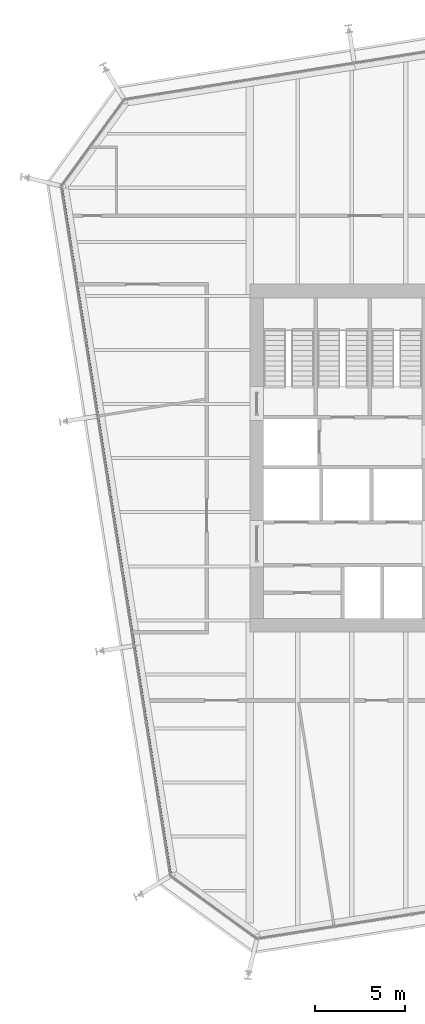
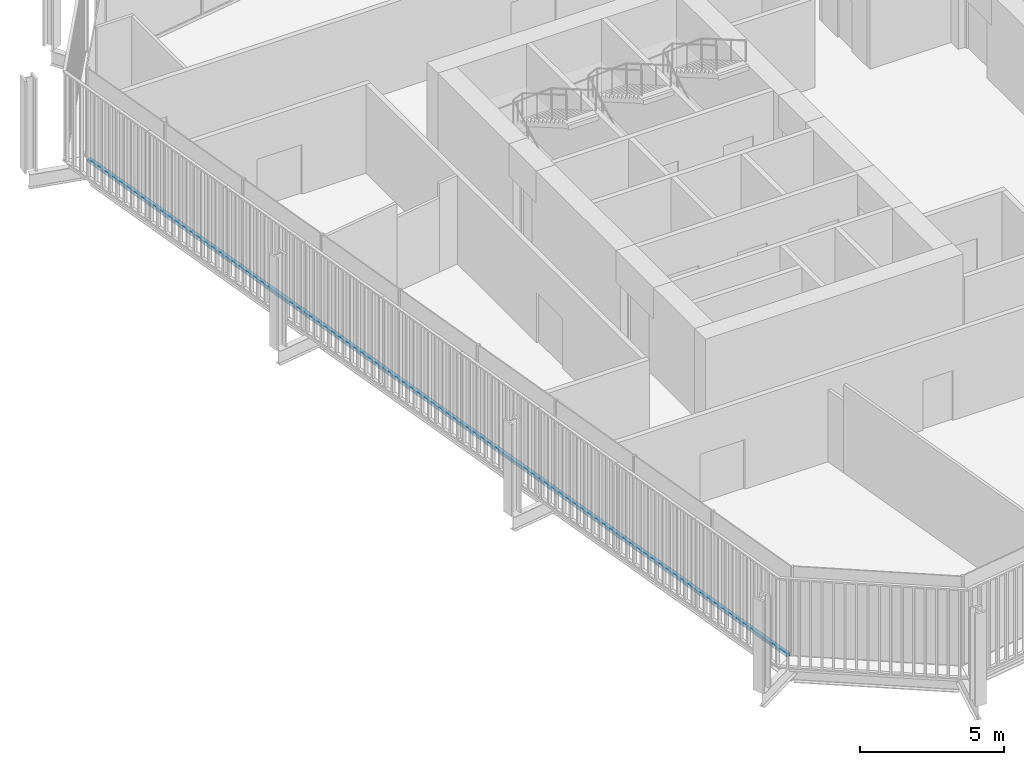
# One storey, part 5 of 21: 1 member, 1 element without a shape of its own.
"""IFC4 building model written with IfcOpenShell, lengths in metres."""

from ifc_helpers import new_model, si_unit, direction, frame, origin, origin_2d, place, context, subcontext, project, spatial, rectangle, extrude, material, layer, layer_set, material_profile, profile_set, type_object, element, aggregate, save


model = new_model("IFC4")

# Units and contexts
model_context = context("Model", 3, precision=1e-05, world=origin(), true_north=direction((0.0, 1.0)))
body_context = subcontext(model_context, "Body", "Model", "MODEL_VIEW")
ifc_project = project(units=[si_unit("LENGTHUNIT", "METRE"), si_unit("AREAUNIT", "SQUARE_METRE"), si_unit("VOLUMEUNIT", "CUBIC_METRE"), si_unit("PLANEANGLEUNIT", "RADIAN"), si_unit("MASSUNIT", "GRAM", prefix="KILO")], contexts=[model_context])

# Site, building, storey
site_placement = place(None, origin())
site = spatial("IfcSite", under=ifc_project, at=site_placement, CompositionType="ELEMENT")
building_placement = place(site_placement, origin())
building = spatial("IfcBuilding", under=site, at=building_placement, Name="Millrace Tower", CompositionType="ELEMENT")
storey_placement = place(building_placement, frame((0.0, 0.0, 149.0)))
storey = spatial("IfcBuildingStorey", under=building, at=storey_placement, Name="L33", CompositionType="ELEMENT", Elevation=149.0)

# Curtain wall, member
ifc_material_1 = material(Name="Aluminium and glass", Category="aluminium")
ifc_layer = layer(ifc_material_1, 0.14990234375)
ifc_layer_set = layer_set([ifc_layer], Name="Aluminium and glass")
curtain_wall_type = type_object("IfcCurtainWallType", Name="CW-1 office vision curtain wall", PredefinedType="NOTDEFINED", material=ifc_layer_set)
curtain_wall_placement = place(storey_placement, origin())
curtain_wall = element("IfcCurtainWall", 1, at=curtain_wall_placement, inside=storey, type_object=curtain_wall_type, Name="Curtain wall C-F08 L33", PredefinedType="NOTDEFINED")
ifc_material_2 = material(Name="Aluminium", Category="aluminium")
ifc_material_profile = material_profile(ifc_material_2, rectangle(XDim=0.14990234375, YDim=0.139892578125, at=origin_2d()))
ifc_profile_set = profile_set([ifc_material_profile], Name="Aluminium")
member_type = type_object("IfcMemberType", Name="CW-1 office vision curtain wall transom", PredefinedType="USERDEFINED", material=ifc_profile_set)
member_placement = place(storey_placement, frame((-25.09619140625, 14.97509765625, 0.070068359375), z_axis=(0.156433422663, -0.987688505691, 0.0), x_axis=(0.987688505691, 0.156433422663, 0.0)))
member = element("IfcMember", 2, at=member_placement, type_object=member_type, Name="CW1 transom C-F08.1", ObjectType="TRANSOM", PredefinedType="USERDEFINED", context=body_context, shape_type="SweptSolid", body=[
    extrude(rectangle(XDim=0.14990234375, YDim=0.139892578125, at=origin_2d()), origin(), (0.0, 0.0, 1.0), 38.5),
])
aggregate(curtain_wall, [member])

save(model, "model.ifc")
